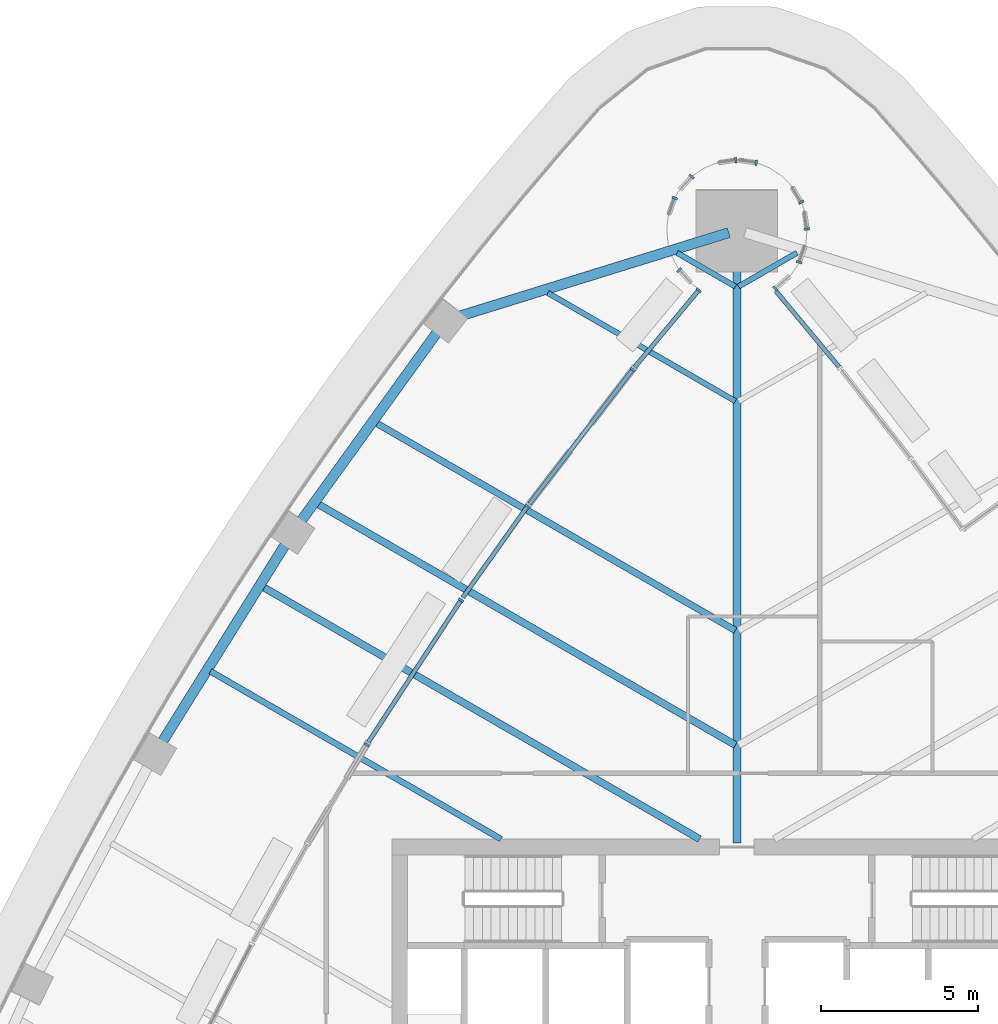
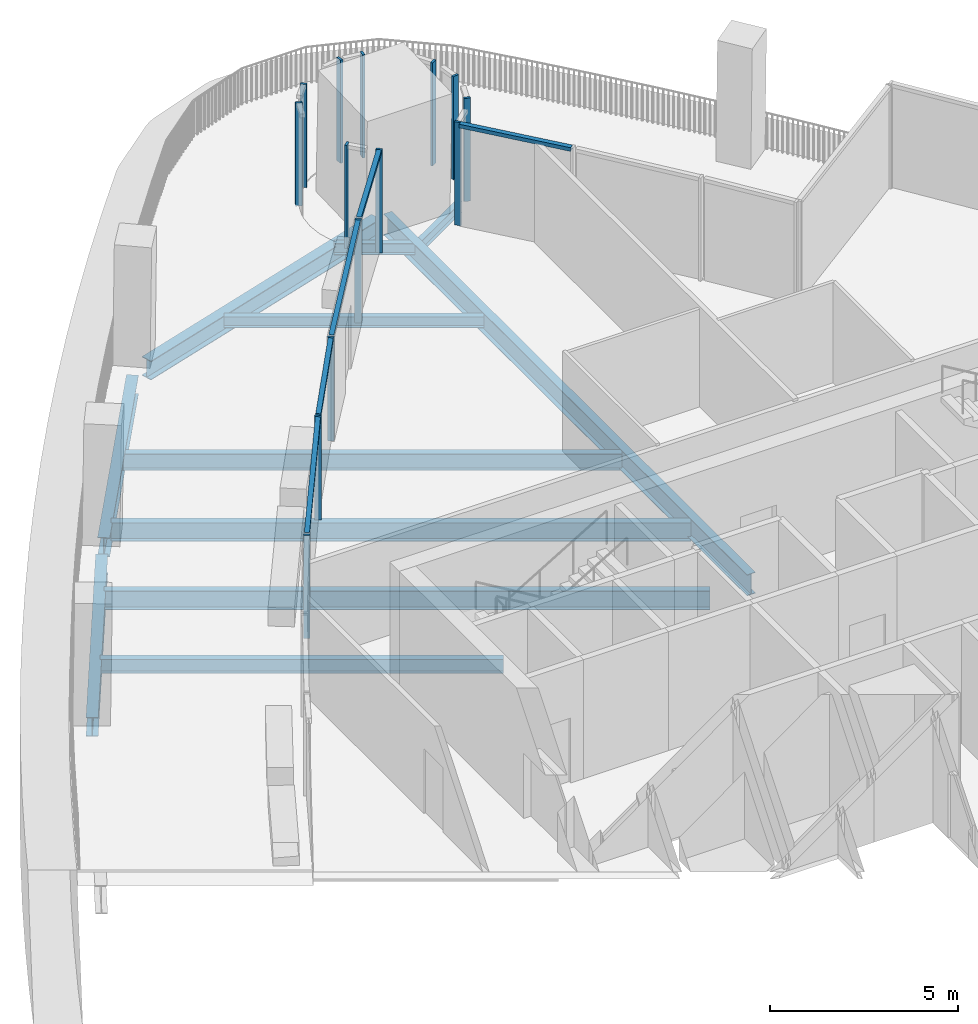
# One storey, part 6 of 19: 19 members, 11 beams, 15 elements without a shape of their own.
"""IFC4 building model written with IfcOpenShell, lengths in metres."""

from ifc_helpers import new_model, si_unit, direction, frame, origin, origin_2d, place, context, subcontext, project, spatial, rectangle, i_section, extrude, material, layer, layer_set, material_profile, profile_set, type_object, element, aggregate, save


model = new_model("IFC4")

# Units and contexts
model_context = context("Model", 3, precision=1e-05, world=origin(), true_north=direction((0.0, 1.0)))
body_context = subcontext(model_context, "Body", "Model", "MODEL_VIEW")
ifc_project = project(units=[si_unit("LENGTHUNIT", "METRE"), si_unit("AREAUNIT", "SQUARE_METRE"), si_unit("VOLUMEUNIT", "CUBIC_METRE"), si_unit("PLANEANGLEUNIT", "RADIAN"), si_unit("MASSUNIT", "GRAM", prefix="KILO")], contexts=[model_context])

# Site, building, storey
site_placement = place(None, origin())
site = spatial("IfcSite", under=ifc_project, at=site_placement, CompositionType="ELEMENT")
building_placement = place(site_placement, origin())
building = spatial("IfcBuilding", under=site, at=building_placement, Name="Sierra Prisma Convention Tower", CompositionType="ELEMENT")
storey_placement = place(building_placement, frame((0.0, 0.0, 173.800048828125)))
storey = spatial("IfcBuildingStorey", under=building, at=storey_placement, Name="L38", CompositionType="ELEMENT", Elevation=173.800048828125)

# Curtain wall, member
ifc_material_1 = material(Name="Aluminium and glass curtain wall", Category="aluminium")
ifc_layer = layer(ifc_material_1, 0.179931640625)
ifc_layer_set = layer_set([ifc_layer], Name="CW-6 Terrace recess curtain wall")
curtain_wall_type = type_object("IfcCurtainWallType", Name="CW-6 Terrace recess curtain wall", PredefinedType="NOTDEFINED", material=ifc_layer_set)
curtain_wall_1_placement = place(storey_placement, origin())
curtain_wall_1 = element("IfcCurtainWall", 1, at=curtain_wall_1_placement, inside=storey, type_object=curtain_wall_type, Name="CW-6 R4 L38", PredefinedType="NOTDEFINED")
ifc_material_2 = material(Name="Aluminium 6063-T6 bronze anodised", Category="aluminium")
ifc_material_profile_1 = material_profile(ifc_material_2, rectangle(XDim=0.179931640625, YDim=0.070068359375, at=origin_2d()), Name="ALU MULLION 70x180")
ifc_profile_set_1 = profile_set([ifc_material_profile_1], Name="Aluminium 6063-T6 bronze anodised")
member_type_1 = type_object("IfcMemberType", Name="CW mullion bronze", PredefinedType="MULLION", material=ifc_profile_set_1)
member_1_placement = place(storey_placement, frame((1.2236328125, 25.554931640625, 0.0), z_axis=(0.0, 0.0, 1.0), x_axis=(-0.660476418337, 0.750846789179, 0.0)))
member_1 = element("IfcMember", 2, at=member_1_placement, type_object=member_type_1, Name="CW-6 mullion R4.1", PredefinedType="MULLION", context=body_context, shape_type="SweptSolid", body=[
    extrude(rectangle(XDim=0.179931640625, YDim=0.070068359375, at=origin_2d()), origin(), (0.0, 0.0, 1.0), 3.33984375),
])
aggregate(curtain_wall_1, [member_1])

curtain_wall_2_placement = place(storey_placement, origin())
curtain_wall_2 = element("IfcCurtainWall", 3, at=curtain_wall_2_placement, inside=storey, type_object=curtain_wall_type, Name="CW-6 R6 L38", PredefinedType="NOTDEFINED")
member_2_placement = place(storey_placement, frame((1.98583984375, 26.398681640625, 0.0), z_axis=(0.0, 0.0, 1.0), x_axis=(-0.941544065183, 0.336889853392, 0.0)))
member_2 = element("IfcMember", 4, at=member_2_placement, type_object=member_type_1, Name="CW-6 mullion R6.1", PredefinedType="MULLION", context=body_context, shape_type="SweptSolid", body=[
    extrude(rectangle(XDim=0.179931640625, YDim=0.070068359375, at=origin_2d()), origin(), (0.0, 0.0, 1.0), 3.33984375),
])
aggregate(curtain_wall_2, [member_2])

curtain_wall_3_placement = place(storey_placement, origin())
curtain_wall_3 = element("IfcCurtainWall", 5, at=curtain_wall_3_placement, inside=storey, type_object=curtain_wall_type, Name="CW-6 R8 L38", PredefinedType="NOTDEFINED")
member_3_placement = place(storey_placement, frame((2.2333984375, 27.45556640625, 0.0), z_axis=(0.0, 0.0, 1.0), x_axis=(-0.989176509965, -0.146730474455, 0.0)))
member_3 = element("IfcMember", 6, at=member_3_placement, type_object=member_type_1, Name="CW-6 mullion R8.1", PredefinedType="MULLION", context=body_context, shape_type="SweptSolid", body=[
    extrude(rectangle(XDim=0.179931640625, YDim=0.070068359375, at=origin_2d()), origin(), (0.0, 0.0, 1.0), 3.33984375),
])
aggregate(curtain_wall_3, [member_3])

curtain_wall_4_placement = place(storey_placement, origin())
curtain_wall_4 = element("IfcCurtainWall", 7, at=curtain_wall_4_placement, inside=storey, type_object=curtain_wall_type, Name="CW-6 R10 L38", PredefinedType="NOTDEFINED")
member_4_placement = place(storey_placement, frame((2.050048828125, 28.3076171875, 0.0), z_axis=(0.0, 0.0, 1.0), x_axis=(-0.85772861, -0.514102744193, 0.0)))
member_4 = element("IfcMember", 8, at=member_4_placement, type_object=member_type_1, Name="CW-6 mullion R10.1", PredefinedType="MULLION", context=body_context, shape_type="SweptSolid", body=[
    extrude(rectangle(XDim=0.179931640625, YDim=0.070068359375, at=origin_2d()), origin(), (0.0, 0.0, 1.0), 3.33984375),
])
aggregate(curtain_wall_4, [member_4])

curtain_wall_5_placement = place(storey_placement, origin())
curtain_wall_5 = element("IfcCurtainWall", 9, at=curtain_wall_5_placement, inside=storey, type_object=curtain_wall_type, Name="CW-6 R14 L38", PredefinedType="NOTDEFINED")
member_5_placement = place(storey_placement, frame((0.615234375, 29.568115234375, 0.0), z_axis=(0.0, 0.0, 1.0), x_axis=(-0.146730474455, -0.989176509965, 0.0)))
member_5 = element("IfcMember", 10, at=member_5_placement, type_object=member_type_1, Name="CW-6 mullion R14.1", PredefinedType="MULLION", context=body_context, shape_type="SweptSolid", body=[
    extrude(rectangle(XDim=0.179931640625, YDim=0.070068359375, at=origin_2d()), origin(), (0.0, 0.0, 1.0), 3.33984375),
])
aggregate(curtain_wall_5, [member_5])

curtain_wall_6_placement = place(storey_placement, origin())
curtain_wall_6 = element("IfcCurtainWall", 11, at=curtain_wall_6_placement, inside=storey, type_object=curtain_wall_type, Name="CW-6 R15 L38", PredefinedType="NOTDEFINED")
member_6_placement = place(storey_placement, frame((-0.03466796875, 29.654296875, 0.0), z_axis=(0.0, 0.0, 1.0), x_axis=(0.146730474455, -0.989176509965, 0.0)))
member_6 = element("IfcMember", 12, at=member_6_placement, type_object=member_type_1, Name="CW-6 mullion R15.1", PredefinedType="MULLION", context=body_context, shape_type="SweptSolid", body=[
    extrude(rectangle(XDim=0.179931640625, YDim=0.070068359375, at=origin_2d()), origin(), (0.0, 0.0, 1.0), 3.33984375),
])
aggregate(curtain_wall_6, [member_6])

curtain_wall_7_placement = place(storey_placement, origin())
curtain_wall_7 = element("IfcCurtainWall", 13, at=curtain_wall_7_placement, inside=storey, type_object=curtain_wall_type, Name="CW-6 R18 L38", PredefinedType="NOTDEFINED")
member_7_placement = place(storey_placement, frame((-1.443603515625, 29.125244140625, 0.0), z_axis=(0.0, 0.0, 1.0), x_axis=(0.740951125355, -0.671558954847, 0.0)))
member_7 = element("IfcMember", 14, at=member_7_placement, type_object=member_type_1, Name="CW-6 mullion R18.1", PredefinedType="MULLION", context=body_context, shape_type="SweptSolid", body=[
    extrude(rectangle(XDim=0.179931640625, YDim=0.070068359375, at=origin_2d()), origin(), (0.0, 0.0, 1.0), 3.33984375),
])
aggregate(curtain_wall_7, [member_7])

curtain_wall_8_placement = place(storey_placement, origin())
curtain_wall_8 = element("IfcCurtainWall", 15, at=curtain_wall_8_placement, inside=storey, type_object=curtain_wall_type, Name="CW-6 R20 L38", PredefinedType="NOTDEFINED")
member_8_placement = place(storey_placement, frame((-1.98583984375, 28.443115234375, 0.0), z_axis=(0.0, 0.0, 1.0), x_axis=(0.941544065183, -0.336889853392, 0.0)))
member_8 = element("IfcMember", 16, at=member_8_placement, type_object=member_type_1, Name="CW-6 mullion R20.1", PredefinedType="MULLION", context=body_context, shape_type="SweptSolid", body=[
    extrude(rectangle(XDim=0.179931640625, YDim=0.070068359375, at=origin_2d()), origin(), (0.0, 0.0, 1.0), 3.33984375),
])
aggregate(curtain_wall_8, [member_8])

curtain_wall_9_placement = place(storey_placement, origin())
curtain_wall_9 = element("IfcCurtainWall", 17, at=curtain_wall_9_placement, inside=storey, type_object=curtain_wall_type, Name="CW-6 R25 L38", PredefinedType="NOTDEFINED")
member_9_placement = place(storey_placement, frame((-1.837646484375, 26.1513671875, 0.0), z_axis=(0.0, 0.0, 1.0), x_axis=(0.740951125355, 0.671558954847, 0.0)))
member_9 = element("IfcMember", 18, at=member_9_placement, type_object=member_type_1, Name="CW-6 mullion R25.1", PredefinedType="MULLION", context=body_context, shape_type="SweptSolid", body=[
    extrude(rectangle(XDim=0.179931640625, YDim=0.070068359375, at=origin_2d()), origin(), (0.0, 0.0, 1.0), 3.33984375),
])
aggregate(curtain_wall_9, [member_9])

curtain_wall_10_placement = place(storey_placement, origin())
curtain_wall_10 = element("IfcCurtainWall", 19, at=curtain_wall_10_placement, inside=storey, type_object=curtain_wall_type, Name="CW-6 R27 L38", PredefinedType="NOTDEFINED")
member_10_placement = place(storey_placement, frame((-1.2197265625, 25.5048828125, 0.0), z_axis=(0.0, 0.0, 1.0), x_axis=(0.768665744385, -0.639650665136, 0.0)))
member_10 = element("IfcMember", 20, at=member_10_placement, type_object=member_type_1, Name="CW-6 mullion R27.1", PredefinedType="MULLION", context=body_context, shape_type="SweptSolid", body=[
    extrude(rectangle(XDim=0.179931640625, YDim=0.070068359375, at=origin_2d()), origin(), (0.0, 0.0, 1.0), 3.33984375),
])

curtain_wall_11_placement = place(storey_placement, origin())
curtain_wall_11 = element("IfcCurtainWall", 21, at=curtain_wall_11_placement, inside=storey, type_object=curtain_wall_type, Name="CW-6 R28 L38", PredefinedType="NOTDEFINED")
member_11_placement = place(storey_placement, frame((-3.32568359375, 22.971923828125, 0.0), z_axis=(0.0, 0.0, 1.0), x_axis=(0.792445220741, -0.60994308925, 0.0)))
member_11 = element("IfcMember", 22, at=member_11_placement, type_object=member_type_1, Name="CW-6 mullion R28.1", PredefinedType="MULLION", context=body_context, shape_type="SweptSolid", body=[
    extrude(rectangle(XDim=0.179931640625, YDim=0.070068359375, at=origin_2d()), origin(), (0.0, 0.0, 1.0), 3.33984375),
])

curtain_wall_12_placement = place(storey_placement, origin())
curtain_wall_12 = element("IfcCurtainWall", 23, at=curtain_wall_12_placement, inside=storey, type_object=curtain_wall_type, Name="CW-6 R29 L38", PredefinedType="NOTDEFINED")
member_12_placement = place(storey_placement, frame((-6.680419921875, 18.611572265625, 0.0), z_axis=(0.0, 0.0, 1.0), x_axis=(0.815588655227, -0.578632133108, 0.0)))
member_12 = element("IfcMember", 24, at=member_12_placement, type_object=member_type_1, Name="CW-6 mullion R29.1", PredefinedType="MULLION", context=body_context, shape_type="SweptSolid", body=[
    extrude(rectangle(XDim=0.179931640625, YDim=0.070068359375, at=origin_2d()), origin(), (0.0, 0.0, 1.0), 3.33984375),
])

curtain_wall_13_placement = place(storey_placement, origin())
curtain_wall_13 = element("IfcCurtainWall", 25, at=curtain_wall_13_placement, inside=storey, type_object=curtain_wall_type, Name="CW-6 R30 L38", PredefinedType="NOTDEFINED")
member_13_placement = place(storey_placement, frame((-8.801513671875, 15.619140625, 0.0), z_axis=(0.0, 0.0, 1.0), x_axis=(0.837495661759, -0.546443973829, 0.0)))
member_13 = element("IfcMember", 26, at=member_13_placement, type_object=member_type_1, Name="CW-6 mullion R30.1", PredefinedType="MULLION", context=body_context, shape_type="SweptSolid", body=[
    extrude(rectangle(XDim=0.179931640625, YDim=0.070068359375, at=origin_2d()), origin(), (0.0, 0.0, 1.0), 3.33984375),
])

curtain_wall_14_placement = place(storey_placement, origin())
curtain_wall_14 = element("IfcCurtainWall", 27, at=curtain_wall_14_placement, inside=storey, type_object=curtain_wall_type, Name="CW-6 R31 L38", PredefinedType="NOTDEFINED")
member_14_placement = place(storey_placement, frame((-11.806640625, 11.010986328125, 0.0), z_axis=(0.0, 0.0, 1.0), x_axis=(0.858133029456, -0.513427408458, 0.0)))
member_14 = element("IfcMember", 28, at=member_14_placement, type_object=member_type_1, Name="CW-6 mullion R31.1", PredefinedType="MULLION", context=body_context, shape_type="SweptSolid", body=[
    extrude(rectangle(XDim=0.179931640625, YDim=0.070068359375, at=origin_2d()), origin(), (0.0, 0.0, 1.0), 3.33984375),
])
aggregate(curtain_wall_14, [member_14])

curtain_wall_15_placement = place(storey_placement, origin())
curtain_wall_15 = element("IfcCurtainWall", 29, at=curtain_wall_15_placement, inside=storey, type_object=curtain_wall_type, Name="CW-6 R3 L38", PredefinedType="NOTDEFINED")
ifc_material_3 = material(Name="Aluminium 6063-T6 bronze anodised", Category="aluminium")
ifc_material_profile_2 = material_profile(ifc_material_3, rectangle(XDim=0.139892578125, YDim=0.1201171875, at=origin_2d()), Name="ALU TRANSOM 120x140")
ifc_profile_set_2 = profile_set([ifc_material_profile_2], Name="Aluminium 6063-T6 bronze anodised")
member_type_2 = type_object("IfcMemberType", Name="CW transom bronze", PredefinedType="USERDEFINED", material=ifc_profile_set_2)
member_15_placement = place(storey_placement, frame((3.259765625, 23.053466796875, 3.280029296875), z_axis=(-0.639689431082, 0.768633483373, 0.0), x_axis=(-0.768633483373, -0.639689431082, 0.0)))
member_15 = element("IfcMember", 30, at=member_15_placement, type_object=member_type_2, Name="CW-6 transom R3.1", ObjectType="TRANSOM", PredefinedType="USERDEFINED", context=body_context, shape_type="SweptSolid", body=[
    extrude(rectangle(XDim=0.139892578125, YDim=0.1201171875, at=origin_2d()), origin(), (0.0, 0.0, 1.0), 3.154296875),
])
aggregate(curtain_wall_15, [member_15])

# Member
member_16_placement = place(storey_placement, frame((-1.241943359375, 25.47802734375, 3.280029296875), z_axis=(-0.639689431082, -0.768633483373, 0.0), x_axis=(0.768633483373, -0.639689431082, 0.0)))
member_16 = element("IfcMember", 31, at=member_16_placement, type_object=member_type_2, Name="CW-6 transom R27.1", ObjectType="TRANSOM", PredefinedType="USERDEFINED", context=body_context, shape_type="SweptSolid", body=[
    extrude(rectangle(XDim=0.139892578125, YDim=0.1201171875, at=origin_2d()), origin(), (0.0, 0.0, 1.0), 3.154296875),
])

aggregate(curtain_wall_10, [member_10, member_16])

member_17_placement = place(storey_placement, frame((-3.34716796875, 22.9443359375, 3.280029296875), z_axis=(-0.609941795623, -0.792446216441, 0.0), x_axis=(0.792446216441, -0.609941795623, 0.0)))
member_17 = element("IfcMember", 32, at=member_17_placement, type_object=member_type_2, Name="CW-6 transom R28.1", ObjectType="TRANSOM", PredefinedType="USERDEFINED", context=body_context, shape_type="SweptSolid", body=[
    extrude(rectangle(XDim=0.139892578125, YDim=0.1201171875, at=origin_2d()), origin(), (0.0, 0.0, 1.0), 5.361572265625),
])

aggregate(curtain_wall_11, [member_11, member_17])

member_18_placement = place(storey_placement, frame((-6.70068359375, 18.5830078125, 3.280029296875), z_axis=(-0.578597050736, -0.815613543831, 0.0), x_axis=(0.815613543831, -0.578597050736, 0.0)))
member_18 = element("IfcMember", 33, at=member_18_placement, type_object=member_type_2, Name="CW-6 transom R29.1", ObjectType="TRANSOM", PredefinedType="USERDEFINED", context=body_context, shape_type="SweptSolid", body=[
    extrude(rectangle(XDim=0.139892578125, YDim=0.1201171875, at=origin_2d()), origin(), (0.0, 0.0, 1.0), 3.52783203125),
])

aggregate(curtain_wall_12, [member_12, member_18])

member_19_placement = place(storey_placement, frame((-8.820556640625, 15.58984375, 3.280029296875), z_axis=(-0.54646639231, -0.83748103386, 0.0), x_axis=(0.83748103386, -0.54646639231, 0.0)))
member_19 = element("IfcMember", 34, at=member_19_placement, type_object=member_type_2, Name="CW-6 transom R30.1", ObjectType="TRANSOM", PredefinedType="USERDEFINED", context=body_context, shape_type="SweptSolid", body=[
    extrude(rectangle(XDim=0.139892578125, YDim=0.1201171875, at=origin_2d()), origin(), (0.0, 0.0, 1.0), 5.361572265625),
])

aggregate(curtain_wall_13, [member_13, member_19])

# Beams
ifc_material_4 = material(Name="Steel ASTM A992 Gr 50", Category="steel")
ifc_material_profile_3 = material_profile(ifc_material_4, i_section(OverallWidth=0.172119140625, OverallDepth=0.35791015625, WebThickness=0.0078125, FlangeThickness=0.01318359375, at=origin_2d()), Name="W360x57")
ifc_profile_set_3 = profile_set([ifc_material_profile_3], Name="Steel ASTM A992 Gr 50")
beam_type_1 = type_object("IfcBeamType", Name="Floor joist W360x57", PredefinedType="JOIST", material=ifc_profile_set_3)
for number, where, z_axis, x_axis, name in (
    (35, (1.911376953125, 26.6962890625, -0.3291015625), (-0.866024734654, -0.500001158966, 0.0), (0.500001158966, -0.866024734654, 0.0), "Floor joist L38 NE15"),
    (36, (-1.911376953125, 26.6962890625, -0.3291015625), (0.866024734654, -0.500001158966, 0.0), (0.500001158966, 0.866024734654, 0.0), "Floor joist L38 NW01"),
):
    element("IfcBeam", number, at=place(storey_placement, frame(where, z_axis=z_axis, x_axis=x_axis)), inside=storey, type_object=beam_type_1, Name=name, PredefinedType="JOIST", context=body_context, shape_type="SweptSolid", body=[
        extrude(i_section(OverallWidth=0.172119140625, OverallDepth=0.35791015625, WebThickness=0.0078125, FlangeThickness=0.01318359375, at=origin_2d()), origin(), (0.0, 0.0, 1.0), 2.1484375),
    ])
beam_1_placement = place(storey_placement, frame((-6.03076171875, 25.41845703125, -0.47900390625), z_axis=(0.86603485748, -0.499983625362, 0.0), x_axis=(0.499983625362, 0.86603485748, 0.0)))
element("IfcBeam", 37, at=beam_1_placement, inside=storey, type_object=beam_type_1, Name="Floor joist L38 NW02", PredefinedType="JOIST", context=body_context, shape_type="SweptSolid", body=[
    extrude(i_section(OverallWidth=0.172119140625, OverallDepth=0.35791015625, WebThickness=0.0078125, FlangeThickness=0.01318359375, at=origin_2d()), origin(), (0.0, 0.0, 1.0), 6.905029296875),
])
ifc_material_5 = material(Name="Steel ASTM A992 Gr 50", Category="steel")
ifc_material_profile_4 = material_profile(ifc_material_5, i_section(OverallWidth=0.18994140625, OverallDepth=0.45703125, WebThickness=0.009033203125, FlangeThickness=0.014404296875, at=origin_2d()), Name="W460x74")
ifc_profile_set_4 = profile_set([ifc_material_profile_4], Name="Steel ASTM A992 Gr 50")
beam_type_2 = type_object("IfcBeamType", Name="Floor joist W460x74", PredefinedType="JOIST", material=ifc_profile_set_4)
beam_2_placement = place(storey_placement, frame((-16.7919921875, 13.350830078125, -0.528564453125), z_axis=(0.866029067825, -0.499993653641, 0.0), x_axis=(0.499993653641, 0.866029067825, 0.0)))
element("IfcBeam", 38, at=beam_2_placement, inside=storey, type_object=beam_type_2, Name="Floor joist L38 NW07", PredefinedType="JOIST", context=body_context, shape_type="SweptSolid", body=[
    extrude(i_section(OverallWidth=0.18994140625, OverallDepth=0.45703125, WebThickness=0.009033203125, FlangeThickness=0.014404296875, at=origin_2d()), origin(), (0.0, 0.0, 1.0), 10.701904296875),
])
ifc_material_6 = material(Name="Steel ASTM A992 Gr 50", Category="steel")
ifc_material_profile_5 = material_profile(ifc_material_6, i_section(OverallWidth=0.208984375, OverallDepth=0.532958984375, WebThickness=0.01025390625, FlangeThickness=0.015625, at=origin_2d()), Name="W530x92")
ifc_profile_set_5 = profile_set([ifc_material_profile_5], Name="Steel ASTM A992 Gr 50")
beam_type_3 = type_object("IfcBeamType", Name="Floor joist W530x92", PredefinedType="JOIST", material=ifc_profile_set_5)
beam_3_placement = place(storey_placement, frame((-11.509033203125, 21.269287109375, -0.566650390625), z_axis=(0.866023647427, -0.500003042088, 0.0), x_axis=(0.500003042088, 0.866023647427, 0.0)))
element("IfcBeam", 39, at=beam_3_placement, inside=storey, type_object=beam_type_3, Name="Floor joist L38 NW04", PredefinedType="JOIST", context=body_context, shape_type="SweptSolid", body=[
    extrude(i_section(OverallWidth=0.208984375, OverallDepth=0.532958984375, WebThickness=0.01025390625, FlangeThickness=0.015625, at=origin_2d()), origin(), (0.0, 0.0, 1.0), 13.23095703125),
])
ifc_material_7 = material(Name="Steel ASTM A992 Gr 50", Category="steel")
ifc_material_profile_6 = material_profile(ifc_material_7, i_section(OverallWidth=0.22802734375, OverallDepth=0.60302734375, WebThickness=0.010498046875, FlangeThickness=0.014892578125, at=origin_2d()), Name="W610x101")
ifc_profile_set_6 = profile_set([ifc_material_profile_6], Name="Steel ASTM A992 Gr 50")
beam_type_4 = type_object("IfcBeamType", Name="Floor joist W610x101", PredefinedType="JOIST", material=ifc_profile_set_6)
beam_4_placement = place(storey_placement, frame((-13.37060546875, 18.68798828125, -0.6015625), z_axis=(0.866025926071, -0.499999095372, 0.0), x_axis=(0.499999095372, 0.866025926071, 0.0)))
element("IfcBeam", 40, at=beam_4_placement, inside=storey, type_object=beam_type_4, Name="Floor joist L38 NW05", PredefinedType="JOIST", context=body_context, shape_type="SweptSolid", body=[
    extrude(i_section(OverallWidth=0.22802734375, OverallDepth=0.60302734375, WebThickness=0.010498046875, FlangeThickness=0.014892578125, at=origin_2d()), origin(), (0.0, 0.0, 1.0), 15.38037109375),
])
beam_5_placement = place(storey_placement, frame((-15.1162109375, 16.03955078125, -0.6015625), z_axis=(0.866027555699, -0.499996272756, 0.0), x_axis=(0.499996272756, 0.866027555699, 0.0)))
element("IfcBeam", 41, at=beam_5_placement, inside=storey, type_object=beam_type_4, Name="Floor joist L38 NW06", PredefinedType="JOIST", context=body_context, shape_type="SweptSolid", body=[
    extrude(i_section(OverallWidth=0.22802734375, OverallDepth=0.60302734375, WebThickness=0.010498046875, FlangeThickness=0.014892578125, at=origin_2d()), origin(), (0.0, 0.0, 1.0), 16.0791015625),
])
ifc_material_8 = material(Name="Steel ASTM A992 Gr 50", Category="steel")
ifc_material_profile_7 = material_profile(ifc_material_8, i_section(OverallWidth=0.25390625, OverallDepth=0.68408203125, WebThickness=0.012451171875, FlangeThickness=0.018798828125, at=origin_2d()), Name="W690x140")
ifc_profile_set_7 = profile_set([ifc_material_profile_7], Name="Steel ASTM A992 Gr 50")
beam_type_5 = type_object("IfcBeamType", Name="Radial girder W690x140", PredefinedType="BEAM", material=ifc_profile_set_7)
beam_6_placement = place(storey_placement, frame((0.0, 27.160888671875, -0.491943359375), z_axis=(0.0, -1.0, 0.0), x_axis=(1.0, 0.0, 0.0)))
element("IfcBeam", 42, at=beam_6_placement, inside=storey, type_object=beam_type_5, Name="Radial girder L38 N", PredefinedType="BEAM", context=body_context, shape_type="SweptSolid", body=[
    extrude(i_section(OverallWidth=0.25390625, OverallDepth=0.68408203125, WebThickness=0.012451171875, FlangeThickness=0.018798828125, at=origin_2d()), origin(), (0.0, 0.0, 1.0), 19.281005859375),
])
ifc_material_9 = material(Name="Steel ASTM A992 Gr 50", Category="steel")
ifc_material_profile_8 = material_profile(ifc_material_9, i_section(OverallWidth=0.324951171875, OverallDepth=0.615966796875, WebThickness=0.013916015625, FlangeThickness=0.021484375, at=origin_2d()), Name="W610x174")
ifc_profile_set_8 = profile_set([ifc_material_profile_8], Name="Steel ASTM A992 Gr 50")
beam_type_6 = type_object("IfcBeamType", Name="Spandrel beam W610x174", PredefinedType="BEAM", material=ifc_profile_set_8)
beam_7_placement = place(storey_placement, frame((-0.260009765625, 27.34033203125, -0.608154296875), z_axis=(-0.955104541971, -0.296268989107, 0.0), x_axis=(0.296268989107, -0.955104541971, 0.0)))
element("IfcBeam", 43, at=beam_7_placement, inside=storey, type_object=beam_type_6, Name="Spandrel L38-13", PredefinedType="BEAM", context=body_context, shape_type="SweptSolid", body=[
    extrude(i_section(OverallWidth=0.324951171875, OverallDepth=0.615966796875, WebThickness=0.013916015625, FlangeThickness=0.021484375, at=origin_2d()), origin(), (0.0, 0.0, 1.0), 8.963134765625),
])
beam_8_placement = place(storey_placement, frame((-9.511962890625, 24.23095703125, -0.608154296875), z_axis=(-0.584970915565, -0.811054269419, 0.0), x_axis=(0.811054269419, -0.584970915565, 0.0)))
element("IfcBeam", 44, at=beam_8_placement, inside=storey, type_object=beam_type_6, Name="Spandrel L38-14", PredefinedType="BEAM", context=body_context, shape_type="SweptSolid", body=[
    extrude(i_section(OverallWidth=0.324951171875, OverallDepth=0.615966796875, WebThickness=0.013916015625, FlangeThickness=0.021484375, at=origin_2d()), origin(), (0.0, 0.0, 1.0), 7.566650390625),
])
beam_9_placement = place(storey_placement, frame((-14.36181640625, 17.462646484375, -0.608154296875), z_axis=(-0.528937008664, -0.848661087164, 0.0), x_axis=(0.848661087164, -0.528937008664, 0.0)))
element("IfcBeam", 45, at=beam_9_placement, inside=storey, type_object=beam_type_6, Name="Spandrel L38-15", PredefinedType="BEAM", context=body_context, shape_type="SweptSolid", body=[
    extrude(i_section(OverallWidth=0.324951171875, OverallDepth=0.615966796875, WebThickness=0.013916015625, FlangeThickness=0.021484375, at=origin_2d()), origin(), (0.0, 0.0, 1.0), 7.56640625),
])

save(model, "model.ifc")
